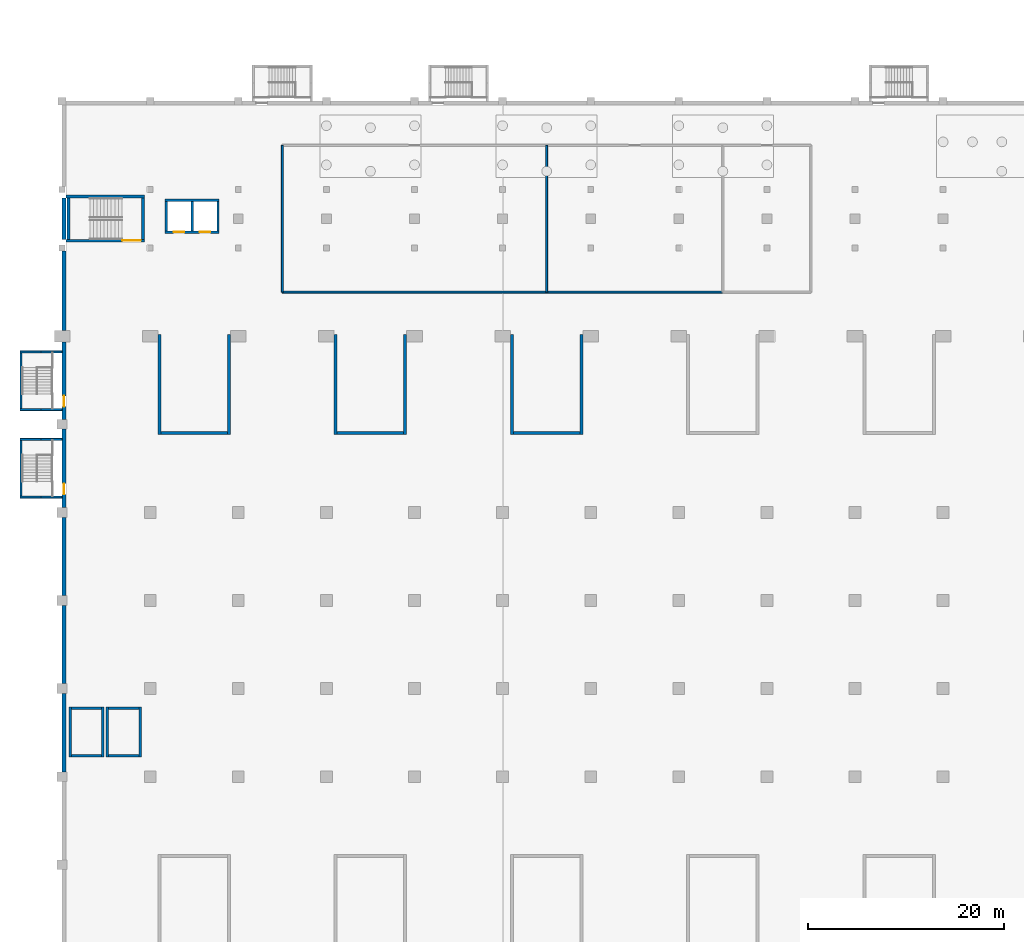
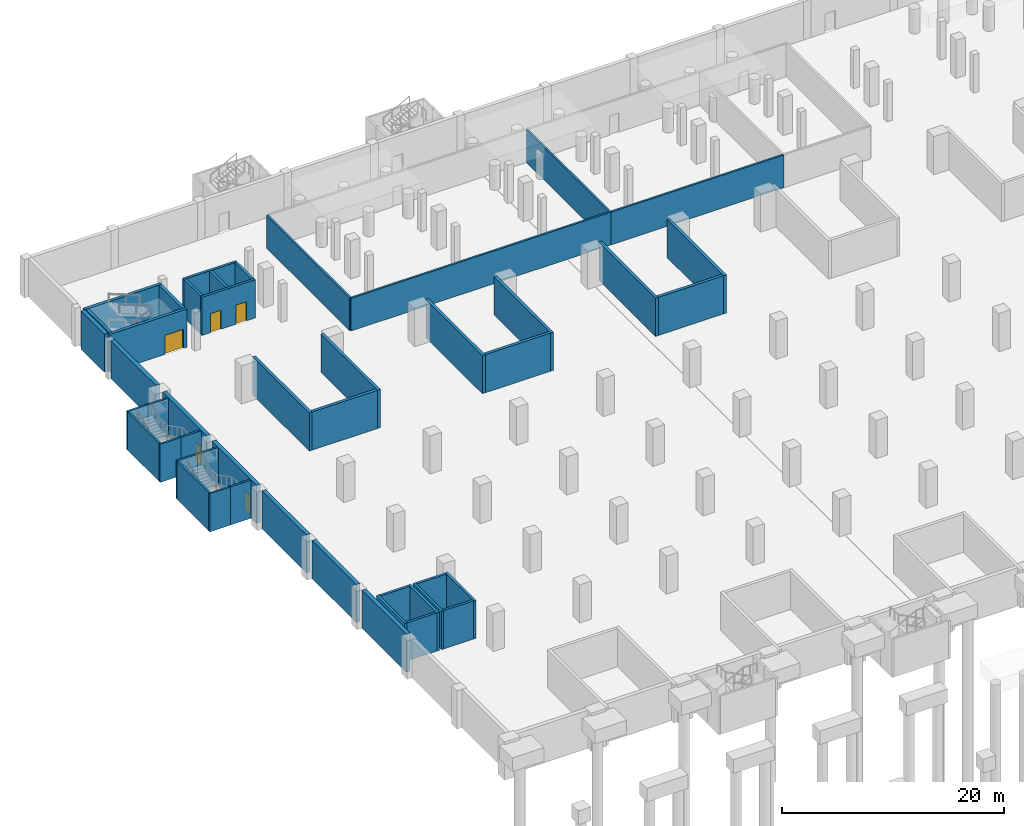
# One storey, part 13 of 27: 47 walls, 5 doors, 5 openings.
"""IFC4 building model written with IfcOpenShell, lengths in metres."""

from ifc_helpers import new_model, si_unit, direction, frame, frame_2d, origin, place, context, subcontext, project, spatial, rectangle, extrude, material, layer, layer_set, type_object, element, fill, save


model = new_model("IFC4")

# Units and contexts
model_context = context("Model", 3, precision=1e-05, world=origin(), true_north=direction((0.0, 1.0)))
body_context = subcontext(model_context, "Body", "Model", "MODEL_VIEW")
ifc_project = project(units=[si_unit("LENGTHUNIT", "METRE"), si_unit("AREAUNIT", "SQUARE_METRE"), si_unit("VOLUMEUNIT", "CUBIC_METRE"), si_unit("PLANEANGLEUNIT", "RADIAN"), si_unit("MASSUNIT", "GRAM", prefix="KILO")], contexts=[model_context])

# Site, building, storey
site_placement = place(None, origin())
site = spatial("IfcSite", under=ifc_project, at=site_placement, CompositionType="ELEMENT")
building_placement = place(site_placement, origin())
building = spatial("IfcBuilding", under=site, at=building_placement, Name="Aravalli Gate Trade Fair Centre", CompositionType="ELEMENT")
storey_placement = place(building_placement, frame((0.0, 0.0, -4.199951171875)))
storey = spatial("IfcBuildingStorey", under=building, at=storey_placement, Name="B1", CompositionType="ELEMENT", Elevation=-4.199951171875)

# Walls
ifc_material_1 = material(Name="Concrete M30", Category="concrete")
ifc_layer_1 = layer(ifc_material_1, 0.199951171875)
ifc_layer_set_1 = layer_set([ifc_layer_1], Name="Concrete M30")
wall_type_1 = type_object("IfcWallType", Name="Basement plant room wall 200", PredefinedType="SOLIDWALL", material=ifc_layer_set_1)
wall_1_placement = place(storey_placement, frame((28.5, 113.5, 0.0), z_axis=(0.0, 0.0, 1.0), x_axis=(1.0, 0.0, 0.0)))
element("IfcWall", 1, at=wall_1_placement, inside=storey, type_object=wall_type_1, Name="Basement plant room wall B1 01.1", PredefinedType="SOLIDWALL", context=body_context, shape_type="SweptSolid", body=[
    extrude(rectangle(XDim=27.0, YDim=0.199951171875, at=frame_2d((13.5, 0.0))), origin(), (0.0, 0.0, 1.0), 3.599853515625),
])
wall_2_placement = place(storey_placement, frame((55.5, 113.5, 0.0), z_axis=(0.0, 0.0, 1.0), x_axis=(1.0, 0.0, 0.0)))
element("IfcWall", 2, at=wall_2_placement, inside=storey, type_object=wall_type_1, Name="Basement plant room wall B1 02.1", PredefinedType="SOLIDWALL", context=body_context, shape_type="SweptSolid", body=[
    extrude(rectangle(XDim=18.0, YDim=0.199951171875, at=frame_2d((9.0, 0.0))), origin(), (0.0, 0.0, 1.0), 3.599853515625),
])
for number, where, z_axis, x_axis, name in (
    (3, (28.5, 113.5, 0.0), (0.0, 0.0, 1.0), (0.0, 1.0, 0.0), "Basement plant room wall B1 09.1"),
    (4, (55.5, 113.5, 0.0), (0.0, 0.0, 1.0), (0.0, 1.0, 0.0), "Basement plant room wall B1 10.1"),
):
    element("IfcWall", number, at=place(storey_placement, frame(where, z_axis=z_axis, x_axis=x_axis)), inside=storey, type_object=wall_type_1, Name=name, PredefinedType="SOLIDWALL", context=body_context, shape_type="SweptSolid", body=[
        extrude(rectangle(XDim=15.0, YDim=0.199951171875, at=frame_2d((7.5, 0.0))), origin(), (0.0, 0.0, 1.0), 3.599853515625),
    ])
ifc_material_2 = material(Name="Concrete M40", Category="concrete")
ifc_layer_2 = layer(ifc_material_2, 0.39990234375)
ifc_layer_set_2 = layer_set([ifc_layer_2], Name="Concrete M40")
wall_type_2 = type_object("IfcWallType", Name="Basement retaining wall 400", PredefinedType="SOLIDWALL", material=ifc_layer_set_2)
for number, where, z_axis, x_axis, name in (
    (5, (6.199951171875, 64.5, 0.0), (0.0, 0.0, 1.0), (0.0, 1.0, 0.0), "Retaining wall W03 B1"),
    (6, (6.199951171875, 73.5, 0.0), (0.0, 0.0, 1.0), (0.0, 1.0, 0.0), "Retaining wall W04 B1"),
    (7, (6.199951171875, 82.5, 0.0), (0.0, 0.0, 1.0), (0.0, 1.0, 0.0), "Retaining wall W05 B1"),
):
    element("IfcWall", number, at=place(storey_placement, frame(where, z_axis=z_axis, x_axis=x_axis)), inside=storey, type_object=wall_type_2, Name=name, PredefinedType="SOLIDWALL", context=body_context, shape_type="SweptSolid", body=[
        extrude(rectangle(XDim=8.0, YDim=0.39990234375, at=frame_2d((4.0, 0.0))), origin(), (0.0, 0.0, 1.0), 4.199951171875),
    ])

# Wall, opening, door
wall_3_placement = place(storey_placement, frame((6.199951171875, 91.5, 0.0), z_axis=(0.0, 0.0, 1.0), x_axis=(0.0, 1.0, 0.0)))
wall_3 = element("IfcWall", 8, at=wall_3_placement, inside=storey, type_object=wall_type_2, Name="Retaining wall W06 B1", PredefinedType="SOLIDWALL", context=body_context, shape_type="SweptSolid", body=[
    extrude(rectangle(XDim=8.0, YDim=0.39990234375, at=frame_2d((4.0, 0.0))), origin(), (0.0, 0.0, 1.0), 4.199951171875),
])
opening_1_placement = place(wall_3_placement, frame((1.35009765625, 0.0, 0.0)))
opening_1 = element("IfcOpeningElement", 9, at=opening_1_placement, cuts=wall_3, Name="Opening B-B1-02", PredefinedType="OPENING", context=body_context, shape_type="SweptSolid", body=[
    extrude(rectangle(XDim=1.10009765625, YDim=2.10009765625, at=frame_2d((0.550048828125, 1.050048828125))), frame((0.0, 0.2099609375, 0.0), z_axis=(0.0, -1.0, 0.0), x_axis=(1.0, 0.0, 0.0)), (0.0, 0.0, 1.0), 0.419921875),
])
ifc_material_3 = material(Name="Steel", Category="steel")
door_type_1 = type_object("IfcDoorType", Name="Basement stair door 1100x2100", OperationType="SINGLE_SWING_LEFT", PredefinedType="DOOR", material=ifc_material_3)
door_1_placement = place(opening_1_placement, origin())
door_1 = element("IfcDoor", 10, at=door_1_placement, inside=storey, type_object=door_type_1, Name="Basement stair W1 door B1", OperationType="SINGLE_SWING_LEFT", OverallHeight=2.10009765625, OverallWidth=1.10009765625, PredefinedType="DOOR", context=body_context, shape_type="SweptSolid", body=[
    extrude(rectangle(XDim=1.10009765625, YDim=2.10009765625, at=frame_2d((0.550048828125, 1.050048828125))), frame((0.0, 0.02490234375, 0.0), z_axis=(0.0, -1.0, 0.0), x_axis=(1.0, 0.0, 0.0)), (0.0, 0.0, 1.0), 0.050048828125),
])
fill(opening_1, door_1)

wall_4_placement = place(storey_placement, frame((6.199951171875, 100.5, 0.0), z_axis=(0.0, 0.0, 1.0), x_axis=(0.0, 1.0, 0.0)))
wall_4 = element("IfcWall", 11, at=wall_4_placement, inside=storey, type_object=wall_type_2, Name="Retaining wall W07 B1", PredefinedType="SOLIDWALL", context=body_context, shape_type="SweptSolid", body=[
    extrude(rectangle(XDim=7.89990234375, YDim=0.39990234375, at=frame_2d((3.949951171875, 0.0))), origin(), (0.0, 0.0, 1.0), 4.199951171875),
])
opening_2_placement = place(wall_4_placement, frame((1.300048828125, 0.0, 0.0)))
opening_2 = element("IfcOpeningElement", 12, at=opening_2_placement, cuts=wall_4, Name="Opening B-B1-03", PredefinedType="OPENING", context=body_context, shape_type="SweptSolid", body=[
    extrude(rectangle(XDim=1.10009765625, YDim=2.10009765625, at=frame_2d((0.550048828125, 1.050048828125))), frame((0.0, 0.2099609375, 0.0), z_axis=(0.0, -1.0, 0.0), x_axis=(1.0, 0.0, 0.0)), (0.0, 0.0, 1.0), 0.419921875),
])
door_2_placement = place(opening_2_placement, origin())
door_2 = element("IfcDoor", 13, at=door_2_placement, inside=storey, type_object=door_type_1, Name="Basement stair W2 door B1", OperationType="SINGLE_SWING_LEFT", OverallHeight=2.10009765625, OverallWidth=1.10009765625, PredefinedType="DOOR", context=body_context, shape_type="SweptSolid", body=[
    extrude(rectangle(XDim=1.10009765625, YDim=2.10009765625, at=frame_2d((0.550048828125, 1.050048828125))), frame((0.0, 0.02490234375, 0.0), z_axis=(0.0, -1.0, 0.0), x_axis=(1.0, 0.0, 0.0)), (0.0, 0.0, 1.0), 0.050048828125),
])
fill(opening_2, door_2)

# Walls
wall_5_placement = place(storey_placement, frame((6.199951171875, 109.60009765625, 0.0), z_axis=(0.0, 0.0, 1.0), x_axis=(0.0, 1.0, 0.0)))
element("IfcWall", 14, at=wall_5_placement, inside=storey, type_object=wall_type_2, Name="Retaining wall W08 B1", PredefinedType="SOLIDWALL", context=body_context, shape_type="SweptSolid", body=[
    extrude(rectangle(XDim=8.099853515625, YDim=0.39990234375, at=frame_2d((4.0498046875, 0.0))), origin(), (0.0, 0.0, 1.0), 4.199951171875),
])
wall_6_placement = place(storey_placement, frame((6.199951171875, 118.89990234375, 0.0), z_axis=(0.0, 0.0, 1.0), x_axis=(0.0, 1.0, 0.0)))
element("IfcWall", 15, at=wall_6_placement, inside=storey, type_object=wall_type_2, Name="Retaining wall W09 B1", PredefinedType="SOLIDWALL", context=body_context, shape_type="SweptSolid", body=[
    extrude(rectangle(XDim=4.2001953125, YDim=0.39990234375, at=frame_2d((2.10009765625, 0.0))), origin(), (0.0, 0.0, 1.0), 4.199951171875),
])
ifc_material_4 = material(Name="Concrete M35", Category="concrete")
ifc_layer_3 = layer(ifc_material_4, 0.199951171875)
ifc_layer_set_3 = layer_set([ifc_layer_3], Name="Concrete M35")
wall_type_3 = type_object("IfcWallType", Name="Basement stair enclosure wall 200", PredefinedType="SOLIDWALL", material=ifc_layer_set_3)
wall_7_placement = place(storey_placement, frame((6.0, 98.449951171875, 0.0), z_axis=(0.0, 0.0, 1.0), x_axis=(-1.0, 0.0, 0.0)))
element("IfcWall", 16, at=wall_7_placement, inside=storey, type_object=wall_type_3, Name="Basement stair W1 enclosure wall L1 B1", PredefinedType="SOLIDWALL", context=body_context, shape_type="SweptSolid", body=[
    extrude(rectangle(XDim=2.14990234375, YDim=0.199951171875, at=frame_2d((1.074951171875, 0.0))), origin(), (0.0, 0.0, 1.0), 4.199951171875),
])
wall_8_placement = place(storey_placement, frame((3.85009765625, 98.449951171875, 0.0), z_axis=(0.0, 0.0, 1.0), x_axis=(-1.0, 0.0, 0.0)))
element("IfcWall", 17, at=wall_8_placement, inside=storey, type_object=wall_type_3, Name="Basement stair W1 enclosure wall L2 B1", PredefinedType="SOLIDWALL", context=body_context, shape_type="SweptSolid", body=[
    extrude(rectangle(XDim=2.150146484375, YDim=0.199951171875, at=frame_2d((1.0751953125, 0.0))), origin(), (0.0, 0.0, 1.0), 4.199951171875),
])
wall_9_placement = place(storey_placement, frame((6.0, 92.550048828125, 0.0), z_axis=(0.0, 0.0, 1.0), x_axis=(-1.0, 0.0, 0.0)))
element("IfcWall", 18, at=wall_9_placement, inside=storey, type_object=wall_type_3, Name="Basement stair W1 enclosure wall R1 B1", PredefinedType="SOLIDWALL", context=body_context, shape_type="SweptSolid", body=[
    extrude(rectangle(XDim=2.14990234375, YDim=0.199951171875, at=frame_2d((1.074951171875, 0.0))), origin(), (0.0, 0.0, 1.0), 4.199951171875),
])
wall_10_placement = place(storey_placement, frame((3.85009765625, 92.550048828125, 0.0), z_axis=(0.0, 0.0, 1.0), x_axis=(-1.0, 0.0, 0.0)))
element("IfcWall", 19, at=wall_10_placement, inside=storey, type_object=wall_type_3, Name="Basement stair W1 enclosure wall R2 B1", PredefinedType="SOLIDWALL", context=body_context, shape_type="SweptSolid", body=[
    extrude(rectangle(XDim=2.150146484375, YDim=0.199951171875, at=frame_2d((1.0751953125, 0.0))), origin(), (0.0, 0.0, 1.0), 4.199951171875),
])
wall_11_placement = place(storey_placement, frame((1.800048828125, 98.35009765625, 0.0), z_axis=(0.0, 0.0, 1.0), x_axis=(0.0, -1.0, 0.0)))
element("IfcWall", 20, at=wall_11_placement, inside=storey, type_object=wall_type_3, Name="Basement stair W1 enclosure wall O B1", PredefinedType="SOLIDWALL", context=body_context, shape_type="SweptSolid", body=[
    extrude(rectangle(XDim=5.7001953125, YDim=0.199951171875, at=frame_2d((2.85009765625, 0.0))), origin(), (0.0, 0.0, 1.0), 4.199951171875),
])
wall_12_placement = place(storey_placement, frame((6.0, 107.39990234375, 0.0), z_axis=(0.0, 0.0, 1.0), x_axis=(-1.0, 0.0, 0.0)))
element("IfcWall", 21, at=wall_12_placement, inside=storey, type_object=wall_type_3, Name="Basement stair W2 enclosure wall L1 B1", PredefinedType="SOLIDWALL", context=body_context, shape_type="SweptSolid", body=[
    extrude(rectangle(XDim=2.14990234375, YDim=0.199951171875, at=frame_2d((1.074951171875, 0.0))), origin(), (0.0, 0.0, 1.0), 4.199951171875),
])
wall_13_placement = place(storey_placement, frame((3.85009765625, 107.39990234375, 0.0), z_axis=(0.0, 0.0, 1.0), x_axis=(-1.0, 0.0, 0.0)))
element("IfcWall", 22, at=wall_13_placement, inside=storey, type_object=wall_type_3, Name="Basement stair W2 enclosure wall L2 B1", PredefinedType="SOLIDWALL", context=body_context, shape_type="SweptSolid", body=[
    extrude(rectangle(XDim=2.150146484375, YDim=0.199951171875, at=frame_2d((1.0751953125, 0.0))), origin(), (0.0, 0.0, 1.0), 4.199951171875),
])
wall_14_placement = place(storey_placement, frame((6.0, 101.5, 0.0), z_axis=(0.0, 0.0, 1.0), x_axis=(-1.0, 0.0, 0.0)))
element("IfcWall", 23, at=wall_14_placement, inside=storey, type_object=wall_type_3, Name="Basement stair W2 enclosure wall R1 B1", PredefinedType="SOLIDWALL", context=body_context, shape_type="SweptSolid", body=[
    extrude(rectangle(XDim=2.14990234375, YDim=0.199951171875, at=frame_2d((1.074951171875, 0.0))), origin(), (0.0, 0.0, 1.0), 4.199951171875),
])
wall_15_placement = place(storey_placement, frame((3.85009765625, 101.5, 0.0), z_axis=(0.0, 0.0, 1.0), x_axis=(-1.0, 0.0, 0.0)))
element("IfcWall", 24, at=wall_15_placement, inside=storey, type_object=wall_type_3, Name="Basement stair W2 enclosure wall R2 B1", PredefinedType="SOLIDWALL", context=body_context, shape_type="SweptSolid", body=[
    extrude(rectangle(XDim=2.150146484375, YDim=0.199951171875, at=frame_2d((1.0751953125, 0.0))), origin(), (0.0, 0.0, 1.0), 4.199951171875),
])
wall_16_placement = place(storey_placement, frame((1.800048828125, 107.300048828125, 0.0), z_axis=(0.0, 0.0, 1.0), x_axis=(0.0, -1.0, 0.0)))
element("IfcWall", 25, at=wall_16_placement, inside=storey, type_object=wall_type_3, Name="Basement stair W2 enclosure wall O B1", PredefinedType="SOLIDWALL", context=body_context, shape_type="SweptSolid", body=[
    extrude(rectangle(XDim=5.699951171875, YDim=0.199951171875, at=frame_2d((2.85009765625, 0.0))), origin(), (0.0, 0.0, 1.0), 4.199951171875),
])
ifc_layer_4 = layer(ifc_material_2, 0.25)
ifc_layer_set_4 = layer_set([ifc_layer_4], Name="Concrete M40")
wall_type_4 = type_object("IfcWallType", Name="Freight shaft wall RC 250", PredefinedType="SHEAR", material=ifc_layer_set_4)
for number, where, z_axis, x_axis, name in (
    (26, (6.824951171875, 66.0, 0.0), (0.0, 0.0, 1.0), (0.0, 1.0, 0.0), "Freight lift 1 shaft wall W B1"),
    (27, (10.175048828125, 66.0, 0.0), (0.0, 0.0, 1.0), (0.0, 1.0, 0.0), "Freight lift 1 shaft wall E B1"),
):
    element("IfcWall", number, at=place(storey_placement, frame(where, z_axis=z_axis, x_axis=x_axis)), inside=storey, type_object=wall_type_4, Name=name, PredefinedType="SHEAR", context=body_context, shape_type="SweptSolid", body=[
        extrude(rectangle(XDim=5.10009765625, YDim=0.25, at=frame_2d((2.550048828125, 0.0))), origin(), (0.0, 0.0, 1.0), 4.199951171875),
    ])
for number, where, z_axis, x_axis, name in (
    (28, (6.949951171875, 66.125, 0.0), (0.0, 0.0, 1.0), (1.0, 0.0, 0.0), "Freight lift 1 shaft wall F B1"),
    (29, (6.949951171875, 70.97509765625, 0.0), (0.0, 0.0, 1.0), (1.0, 0.0, 0.0), "Freight lift 1 shaft wall B B1"),
):
    element("IfcWall", number, at=place(storey_placement, frame(where, z_axis=z_axis, x_axis=x_axis)), inside=storey, type_object=wall_type_4, Name=name, PredefinedType="SHEAR", context=body_context, shape_type="SweptSolid", body=[
        extrude(rectangle(XDim=3.10009765625, YDim=0.25, at=frame_2d((1.550048828125, 0.0))), origin(), (0.0, 0.0, 1.0), 4.199951171875),
    ])
for number, where, z_axis, x_axis, name in (
    (30, (10.625, 66.0, 0.0), (0.0, 0.0, 1.0), (0.0, 1.0, 0.0), "Freight lift 2 shaft wall W B1"),
    (31, (13.97509765625, 66.0, 0.0), (0.0, 0.0, 1.0), (0.0, 1.0, 0.0), "Freight lift 2 shaft wall E B1"),
):
    element("IfcWall", number, at=place(storey_placement, frame(where, z_axis=z_axis, x_axis=x_axis)), inside=storey, type_object=wall_type_4, Name=name, PredefinedType="SHEAR", context=body_context, shape_type="SweptSolid", body=[
        extrude(rectangle(XDim=5.10009765625, YDim=0.25, at=frame_2d((2.550048828125, 0.0))), origin(), (0.0, 0.0, 1.0), 4.199951171875),
    ])
for number, where, z_axis, x_axis, name in (
    (32, (10.75, 66.125, 0.0), (0.0, 0.0, 1.0), (1.0, 0.0, 0.0), "Freight lift 2 shaft wall F B1"),
    (33, (10.75, 70.97509765625, 0.0), (0.0, 0.0, 1.0), (1.0, 0.0, 0.0), "Freight lift 2 shaft wall B B1"),
):
    element("IfcWall", number, at=place(storey_placement, frame(where, z_axis=z_axis, x_axis=x_axis)), inside=storey, type_object=wall_type_4, Name=name, PredefinedType="SHEAR", context=body_context, shape_type="SweptSolid", body=[
        extrude(rectangle(XDim=3.10009765625, YDim=0.25, at=frame_2d((1.550048828125, 0.0))), origin(), (0.0, 0.0, 1.0), 4.199951171875),
    ])

# Wall, openings, doors
ifc_layer_5 = layer(ifc_material_2, 0.25)
ifc_layer_set_5 = layer_set([ifc_layer_5], Name="Concrete M40")
wall_type_5 = type_object("IfcWallType", Name="RC core wall 250", PredefinedType="SHEAR", material=ifc_layer_set_5)
wall_17_placement = place(storey_placement, frame((16.5, 119.625, 0.0), z_axis=(0.0, 0.0, 1.0), x_axis=(1.0, 0.0, 0.0)))
wall_17 = element("IfcWall", 34, at=wall_17_placement, inside=storey, type_object=wall_type_5, Name="Core wall WLS B1", PredefinedType="SHEAR", context=body_context, shape_type="SweptSolid", body=[
    extrude(rectangle(XDim=5.550048828125, YDim=0.25, at=frame_2d((2.77490234375, 0.0))), origin(), (0.0, 0.0, 1.0), 4.199951171875),
])
opening_3_placement = place(wall_17_placement, frame((0.89990234375, 0.0, 0.0)))
opening_3 = element("IfcOpeningElement", 35, at=opening_3_placement, cuts=wall_17, Name="Opening C-B1-02", PredefinedType="OPENING", context=body_context, shape_type="SweptSolid", body=[
    extrude(rectangle(XDim=1.10009765625, YDim=2.10009765625, at=frame_2d((0.550048828125, 1.050048828125))), frame((0.0, 0.135009765625, 0.0), z_axis=(0.0, -1.0, 0.0), x_axis=(1.0, 0.0, 0.0)), (0.0, 0.0, 1.0), 0.27001953125),
])
opening_4_placement = place(wall_17_placement, frame((3.550048828125, 0.0, 0.0)))
opening_4 = element("IfcOpeningElement", 36, at=opening_4_placement, cuts=wall_17, Name="Opening C-B1-03", PredefinedType="OPENING", context=body_context, shape_type="SweptSolid", body=[
    extrude(rectangle(XDim=1.10009765625, YDim=2.10009765625, at=frame_2d((0.550048828125, 1.050048828125))), frame((0.0, 0.135009765625, 0.0), z_axis=(0.0, -1.0, 0.0), x_axis=(1.0, 0.0, 0.0)), (0.0, 0.0, 1.0), 0.27001953125),
])
ifc_material_5 = material(Name="Steel, fire rated", Category="steel")
door_type_2 = type_object("IfcDoorType", Name="Concourse lift landing door 1100 x 2100", OperationType="DOUBLE_DOOR_SLIDING", PredefinedType="NOTDEFINED", material=ifc_material_5)
door_3_placement = place(opening_3_placement, origin())
door_3 = element("IfcDoor", 37, at=door_3_placement, inside=storey, type_object=door_type_2, Name="Lift landing door WL1 B1", OperationType="DOUBLE_DOOR_SLIDING", OverallHeight=2.10009765625, OverallWidth=1.10009765625, PredefinedType="NOTDEFINED", context=body_context, shape_type="SweptSolid", body=[
    extrude(rectangle(XDim=1.10009765625, YDim=2.10009765625, at=frame_2d((0.550048828125, 1.050048828125))), frame((0.0, 0.02490234375, 0.0), z_axis=(0.0, -1.0, 0.0), x_axis=(1.0, 0.0, 0.0)), (0.0, 0.0, 1.0), 0.050048828125),
])
fill(opening_3, door_3)
door_4_placement = place(opening_4_placement, origin())
door_4 = element("IfcDoor", 38, at=door_4_placement, inside=storey, type_object=door_type_2, Name="Lift landing door WL2 B1", OperationType="DOUBLE_DOOR_SLIDING", OverallHeight=2.10009765625, OverallWidth=1.10009765625, PredefinedType="NOTDEFINED", context=body_context, shape_type="SweptSolid", body=[
    extrude(rectangle(XDim=1.10009765625, YDim=2.10009765625, at=frame_2d((0.550048828125, 1.050048828125))), frame((0.0, 0.02490234375, 0.0), z_axis=(0.0, -1.0, 0.0), x_axis=(1.0, 0.0, 0.0)), (0.0, 0.0, 1.0), 0.050048828125),
])
fill(opening_4, door_4)

# Walls
wall_18_placement = place(storey_placement, frame((16.5, 122.875, 0.0), z_axis=(0.0, 0.0, 1.0), x_axis=(1.0, 0.0, 0.0)))
element("IfcWall", 39, at=wall_18_placement, inside=storey, type_object=wall_type_5, Name="Core wall WLN B1", PredefinedType="SHEAR", context=body_context, shape_type="SweptSolid", body=[
    extrude(rectangle(XDim=5.550048828125, YDim=0.25, at=frame_2d((2.77490234375, 0.0))), origin(), (0.0, 0.0, 1.0), 4.199951171875),
])
for number, where, z_axis, x_axis, name in (
    (40, (16.625, 119.75, 0.0), (0.0, 0.0, 1.0), (0.0, 1.0, 0.0), "Core wall WLW B1"),
    (41, (21.925048828125, 119.75, 0.0), (0.0, 0.0, 1.0), (0.0, 1.0, 0.0), "Core wall WLE B1"),
    (42, (19.27490234375, 119.75, 0.0), (0.0, 0.0, 1.0), (0.0, 1.0, 0.0), "Core wall WLM B1"),
):
    element("IfcWall", number, at=place(storey_placement, frame(where, z_axis=z_axis, x_axis=x_axis)), inside=storey, type_object=wall_type_5, Name=name, PredefinedType="SHEAR", context=body_context, shape_type="SweptSolid", body=[
        extrude(rectangle(XDim=3.0, YDim=0.25, at=frame_2d((1.5, 0.0))), origin(), (0.0, 0.0, 1.0), 4.199951171875),
    ])

# Wall, opening, door
ifc_layer_6 = layer(ifc_material_2, 0.300048828125)
ifc_layer_set_6 = layer_set([ifc_layer_6], Name="Concrete M40")
wall_type_6 = type_object("IfcWallType", Name="RC core wall 300", PredefinedType="SHEAR", material=ifc_layer_set_6)
wall_19_placement = place(storey_placement, frame((6.39990234375, 118.75, 0.0), z_axis=(0.0, 0.0, 1.0), x_axis=(1.0, 0.0, 0.0)))
wall_19 = element("IfcWall", 43, at=wall_19_placement, inside=storey, type_object=wall_type_6, Name="Core wall WSS B1", PredefinedType="SHEAR", context=body_context, shape_type="SweptSolid", body=[
    extrude(rectangle(XDim=8.0, YDim=0.300048828125, at=frame_2d((4.0, 0.0))), origin(), (0.0, 0.0, 1.0), 4.199951171875),
])
opening_5_placement = place(wall_19_placement, frame((5.75, 0.0, 0.0)))
opening_5 = element("IfcOpeningElement", 44, at=opening_5_placement, cuts=wall_19, Name="Opening C-B1-01", PredefinedType="OPENING", context=body_context, shape_type="SweptSolid", body=[
    extrude(rectangle(XDim=1.89990234375, YDim=2.10009765625, at=frame_2d((0.949951171875, 1.050048828125))), frame((0.0, 0.159912109375, 0.0), z_axis=(0.0, -1.0, 0.0), x_axis=(1.0, 0.0, 0.0)), (0.0, 0.0, 1.0), 0.320068359375),
])
door_type_3 = type_object("IfcDoorType", Name="Concourse stair door 1900 x 2100", OperationType="DOUBLE_DOOR_SINGLE_SWING", PredefinedType="NOTDEFINED", material=ifc_material_5)
door_5_placement = place(opening_5_placement, origin())
door_5 = element("IfcDoor", 45, at=door_5_placement, inside=storey, type_object=door_type_3, Name="Stair door WS B1", OperationType="DOUBLE_DOOR_SINGLE_SWING", OverallHeight=2.10009765625, OverallWidth=1.89990234375, PredefinedType="NOTDEFINED", context=body_context, shape_type="SweptSolid", body=[
    extrude(rectangle(XDim=1.89990234375, YDim=2.10009765625, at=frame_2d((0.949951171875, 1.050048828125))), frame((0.0, 0.02490234375, 0.0), z_axis=(0.0, -1.0, 0.0), x_axis=(1.0, 0.0, 0.0)), (0.0, 0.0, 1.0), 0.050048828125),
])
fill(opening_5, door_5)

# Walls
wall_20_placement = place(storey_placement, frame((6.39990234375, 123.25, 0.0), z_axis=(0.0, 0.0, 1.0), x_axis=(1.0, 0.0, 0.0)))
element("IfcWall", 46, at=wall_20_placement, inside=storey, type_object=wall_type_6, Name="Core wall WSN B1", PredefinedType="SHEAR", context=body_context, shape_type="SweptSolid", body=[
    extrude(rectangle(XDim=8.0, YDim=0.300048828125, at=frame_2d((4.0, 0.0))), origin(), (0.0, 0.0, 1.0), 4.199951171875),
])
for number, where, z_axis, x_axis, name in (
    (47, (6.64990234375, 118.89990234375, 0.0), (0.0, 0.0, 1.0), (0.0, 1.0, 0.0), "Core wall WSW B1"),
    (48, (14.25, 118.89990234375, 0.0), (0.0, 0.0, 1.0), (0.0, 1.0, 0.0), "Core wall WSE B1"),
):
    element("IfcWall", number, at=place(storey_placement, frame(where, z_axis=z_axis, x_axis=x_axis)), inside=storey, type_object=wall_type_6, Name=name, PredefinedType="SHEAR", context=body_context, shape_type="SweptSolid", body=[
        extrude(rectangle(XDim=4.2001953125, YDim=0.300048828125, at=frame_2d((2.10009765625, 0.0))), origin(), (0.0, 0.0, 1.0), 4.199951171875),
    ])
ifc_layer_7 = layer(ifc_material_2, 0.300048828125)
ifc_layer_set_7 = layer_set([ifc_layer_7], Name="Concrete M40")
wall_type_7 = type_object("IfcWallType", Name="Stair tower wall RC 300", PredefinedType="SHEAR", material=ifc_layer_set_7)
for number, where, z_axis, x_axis, name in (
    (49, (15.949951171875, 109.14990234375, 0.0), (0.0, 0.0, 1.0), (0.0, -1.0, 0.0), "Stair tower N02 wall W B1"),
    (50, (23.050048828125, 109.14990234375, 0.0), (0.0, 0.0, 1.0), (0.0, -1.0, 0.0), "Stair tower N02 wall E B1"),
):
    element("IfcWall", number, at=place(storey_placement, frame(where, z_axis=z_axis, x_axis=x_axis)), inside=storey, type_object=wall_type_7, Name=name, PredefinedType="SHEAR", context=body_context, shape_type="SweptSolid", body=[
        extrude(rectangle(XDim=10.199951171875, YDim=0.300048828125, at=frame_2d((5.10009765625, 0.0))), origin(), (0.0, 0.0, 1.0), 4.199951171875),
    ])
wall_21_placement = place(storey_placement, frame((16.10009765625, 99.10009765625, 0.0), z_axis=(0.0, 0.0, 1.0), x_axis=(1.0, 0.0, 0.0)))
element("IfcWall", 51, at=wall_21_placement, inside=storey, type_object=wall_type_7, Name="Stair tower N02 wall F B1", PredefinedType="SHEAR", context=body_context, shape_type="SweptSolid", body=[
    extrude(rectangle(XDim=6.7998046875, YDim=0.300048828125, at=frame_2d((3.39990234375, 0.0))), origin(), (0.0, 0.0, 1.0), 4.199951171875),
])
for number, where, z_axis, x_axis, name in (
    (52, (33.949951171875, 109.14990234375, 0.0), (0.0, 0.0, 1.0), (0.0, -1.0, 0.0), "Stair tower N04 wall W B1"),
    (53, (41.050048828125, 109.14990234375, 0.0), (0.0, 0.0, 1.0), (0.0, -1.0, 0.0), "Stair tower N04 wall E B1"),
):
    element("IfcWall", number, at=place(storey_placement, frame(where, z_axis=z_axis, x_axis=x_axis)), inside=storey, type_object=wall_type_7, Name=name, PredefinedType="SHEAR", context=body_context, shape_type="SweptSolid", body=[
        extrude(rectangle(XDim=10.199951171875, YDim=0.300048828125, at=frame_2d((5.10009765625, 0.0))), origin(), (0.0, 0.0, 1.0), 4.199951171875),
    ])
wall_22_placement = place(storey_placement, frame((34.10009765625, 99.10009765625, 0.0), z_axis=(0.0, 0.0, 1.0), x_axis=(1.0, 0.0, 0.0)))
element("IfcWall", 54, at=wall_22_placement, inside=storey, type_object=wall_type_7, Name="Stair tower N04 wall F B1", PredefinedType="SHEAR", context=body_context, shape_type="SweptSolid", body=[
    extrude(rectangle(XDim=6.7998046875, YDim=0.300048828125, at=frame_2d((3.39990234375, 0.0))), origin(), (0.0, 0.0, 1.0), 4.199951171875),
])
for number, where, z_axis, x_axis, name in (
    (55, (51.949951171875, 109.14990234375, 0.0), (0.0, 0.0, 1.0), (0.0, -1.0, 0.0), "Stair tower N06 wall W B1"),
    (56, (59.050048828125, 109.14990234375, 0.0), (0.0, 0.0, 1.0), (0.0, -1.0, 0.0), "Stair tower N06 wall E B1"),
):
    element("IfcWall", number, at=place(storey_placement, frame(where, z_axis=z_axis, x_axis=x_axis)), inside=storey, type_object=wall_type_7, Name=name, PredefinedType="SHEAR", context=body_context, shape_type="SweptSolid", body=[
        extrude(rectangle(XDim=10.199951171875, YDim=0.300048828125, at=frame_2d((5.10009765625, 0.0))), origin(), (0.0, 0.0, 1.0), 4.199951171875),
    ])
wall_23_placement = place(storey_placement, frame((52.10009765625, 99.10009765625, 0.0), z_axis=(0.0, 0.0, 1.0), x_axis=(1.0, 0.0, 0.0)))
element("IfcWall", 57, at=wall_23_placement, inside=storey, type_object=wall_type_7, Name="Stair tower N06 wall F B1", PredefinedType="SHEAR", context=body_context, shape_type="SweptSolid", body=[
    extrude(rectangle(XDim=6.7998046875, YDim=0.300048828125, at=frame_2d((3.39990234375, 0.0))), origin(), (0.0, 0.0, 1.0), 4.199951171875),
])

save(model, "model.ifc")
